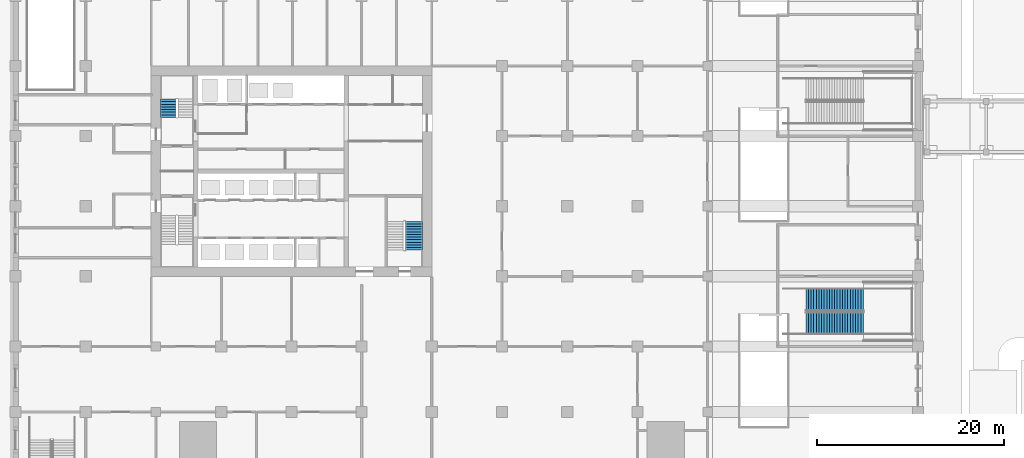
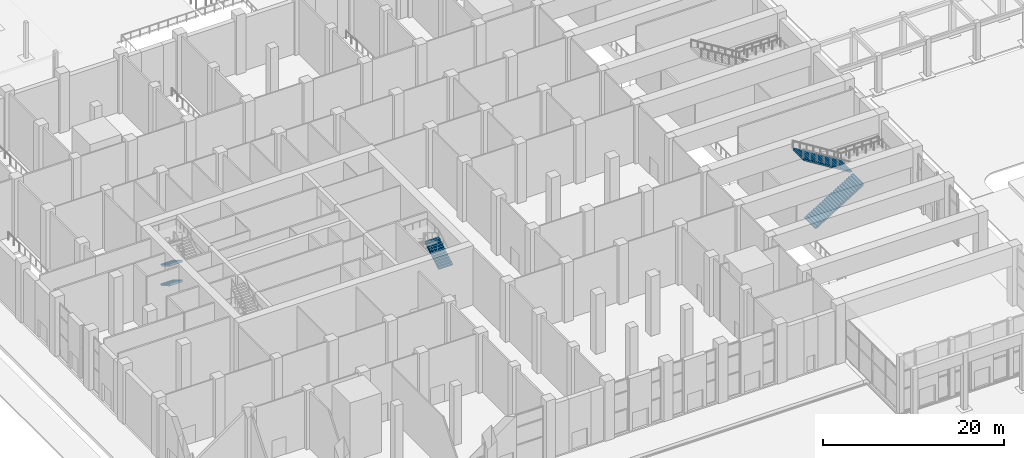
# One storey, part 37 of 57: 5 stair flights, 3 elements without a shape of their own.
"""IFC4 building model written with IfcOpenShell, lengths in metres."""

from ifc_helpers import new_model, si_unit, direction, frame, origin, place, context, subcontext, project, spatial, polyline, outline, extrude, material, type_object, element, aggregate, save


model = new_model("IFC4")

# Units and contexts
model_context = context("Model", 3, precision=1e-05, world=origin(), true_north=direction((0.0, 1.0)))
body_context = subcontext(model_context, "Body", "Model", "MODEL_VIEW")
ifc_project = project(units=[si_unit("LENGTHUNIT", "METRE"), si_unit("AREAUNIT", "SQUARE_METRE"), si_unit("VOLUMEUNIT", "CUBIC_METRE"), si_unit("PLANEANGLEUNIT", "RADIAN"), si_unit("MASSUNIT", "GRAM", prefix="KILO")], contexts=[model_context])

# Site, building, storey
site_placement = place(None, origin())
site = spatial("IfcSite", under=ifc_project, at=site_placement, CompositionType="ELEMENT")
building_placement = place(site_placement, origin())
building = spatial("IfcBuilding", under=site, at=building_placement, Name="Tamorin Gate", CompositionType="ELEMENT")
storey_placement = place(building_placement, origin())
storey = spatial("IfcBuildingStorey", under=building, at=storey_placement, Name="L00", CompositionType="ELEMENT", Elevation=0.0)

# Stair, stair flights
ifc_material_1 = material(Name="Concrete C40/50", Category="concrete")
stair_type_1 = type_object("IfcStairType", Name="Exit stair", PredefinedType="HALF_TURN_STAIR", material=ifc_material_1)
stair_1_placement = place(storey_placement, origin())
stair_1 = element("IfcStair", 1, at=stair_1_placement, inside=storey, type_object=stair_type_1, Name="L00 stair ST2", PredefinedType="HALF_TURN_STAIR")
stair_flight_type_1 = type_object("IfcStairFlightType", Name="Exit stair flight", PredefinedType="STRAIGHT", material=ifc_material_1)
stair_flight_1_placement = place(storey_placement, frame((31.824951171875, 78.9599609375, 1.333251953125), z_axis=(0.0, 0.0, 1.0), x_axis=(0.0, -1.0, 0.0)))
stair_flight_1 = element("IfcStairFlight", 2, at=stair_flight_1_placement, type_object=stair_flight_type_1, Name="ST2 flight 2", NumberOfRisers=8, NumberOfTreads=7, PredefinedType="STRAIGHT", RiserHeight=0.166666667, TreadLength=0.28, context=body_context, shape_type="SweptSolid", body=[
    extrude(outline(polyline([(-0.00048828125, 0.0), (-0.00048828125, 0.001708984375), (-0.00048828125, 0.00341796875), (-0.00048828125, 0.0048828125), (-0.00048828125, 0.006591796875), (-0.00048828125, 0.00830078125), (-0.00048828125, 0.010009765625), (-0.00048828125, 0.011474609375), (-0.00048828125, 0.01318359375), (-0.00048828125, 0.014892578125), (-0.00048828125, 0.0166015625), (-0.00048828125, 0.01806640625), (-0.00048828125, 0.019775390625), (-0.00048828125, 0.021484375), (-0.00048828125, 0.023193359375), (-0.00048828125, 0.024658203125), (-0.00048828125, 0.0263671875), (-0.00048828125, 0.028076171875), (-0.00048828125, 0.02978515625), (-0.00048828125, 0.03125), (-0.00048828125, 0.032958984375), (-0.00048828125, 0.03466796875), (-0.00048828125, 0.036376953125), (-0.00048828125, 0.037841796875), (-0.00048828125, 0.03955078125), (-0.00048828125, 0.041259765625), (-0.00048828125, 0.04296875), (-0.00048828125, 0.04443359375), (-0.00048828125, 0.046142578125), (-0.00048828125, 0.0478515625), (-0.00048828125, 0.049560546875), (-0.00048828125, 0.05126953125), (-0.00048828125, 0.052734375), (-0.00048828125, 0.054443359375), (-0.00048828125, 0.05615234375), (-0.00048828125, 0.057861328125), (-0.00048828125, 0.059326171875), (-0.00048828125, 0.06103515625), (-0.00048828125, 0.062744140625), (-0.00048828125, 0.064453125), (-0.00048828125, 0.06591796875), (-0.00048828125, 0.067626953125), (-0.00048828125, 0.0693359375), (-0.00048828125, 0.071044921875), (-0.00048828125, 0.072509765625), (-0.00048828125, 0.07421875), (-0.00048828125, 0.075927734375), (-0.00048828125, 0.07763671875), (-0.00048828125, 0.0791015625), (-0.00048828125, 0.080810546875), (-0.00048828125, 0.08251953125), (-0.00048828125, 0.084228515625), (-0.00048828125, 0.085693359375), (-0.00048828125, 0.08740234375), (-0.00048828125, 0.089111328125), (-0.00048828125, 0.0908203125), (-0.00048828125, 0.092529296875), (-0.00048828125, 0.093994140625), (-0.00048828125, 0.095703125), (-0.00048828125, 0.097412109375), (-0.00048828125, 0.09912109375), (-0.00048828125, 0.1005859375), (-0.00048828125, 0.102294921875), (-0.00048828125, 0.10400390625), (-0.00048828125, 0.105712890625), (-0.00048828125, 0.107177734375), (-0.00048828125, 0.10888671875), (-0.00048828125, 0.110595703125), (-0.00048828125, 0.1123046875), (-0.00048828125, 0.11376953125), (-0.00048828125, 0.115478515625), (-0.00048828125, 0.1171875), (-0.00048828125, 0.118896484375), (-0.00048828125, 0.120361328125), (-0.00048828125, 0.1220703125), (-0.00048828125, 0.123779296875), (-0.00048828125, 0.12548828125), (-0.00048828125, 0.126953125), (-0.00048828125, 0.128662109375), (-0.00048828125, 0.13037109375), (-0.00048828125, 0.132080078125), (-0.00048828125, 0.133544921875), (-0.00048828125, 0.13525390625), (-0.00048828125, 0.136962890625), (-0.00048828125, 0.138671875), (-0.00048828125, 0.140380859375), (-0.00048828125, 0.141845703125), (-0.00048828125, 0.1435546875), (-0.00048828125, 0.145263671875), (-0.00048828125, 0.14697265625), (-0.00048828125, 0.1484375), (-0.00048828125, 0.150146484375), (-0.00048828125, 0.15185546875), (-0.00048828125, 0.153564453125), (-0.00048828125, 0.155029296875), (-0.00048828125, 0.15673828125), (-0.00048828125, 0.158447265625), (-0.00048828125, 0.16015625), (-0.00048828125, 0.16162109375), (-0.00048828125, 0.163330078125), (-0.00048828125, 0.1650390625), (-0.00048828125, 0.166748046875), (0.280029296875, 0.166748046875), (0.280029296875, 0.333251953125), (0.56005859375, 0.333251953125), (0.56005859375, 0.5), (0.840087890625, 0.5), (0.840087890625, 0.666748046875), (1.1201171875, 0.666748046875), (1.1201171875, 0.833251953125), (1.39990234375, 0.833251953125), (1.39990234375, 1.0), (1.679931640625, 1.0), (1.679931640625, 1.166748046875), (1.9599609375, 1.166748046875), (1.9599609375, 1.333251953125), (1.96044921875, 1.333251953125), (1.96044921875, 1.329833984375), (1.96044921875, 1.32666015625), (1.96044921875, 1.3232421875), (1.96044921875, 1.31982421875), (1.96044921875, 1.31640625), (1.96044921875, 1.31298828125), (1.96044921875, 1.3095703125), (1.96044921875, 1.306396484375), (1.96044921875, 1.302978515625), (1.96044921875, 1.299560546875), (1.96044921875, 1.296142578125), (1.96044921875, 1.292724609375), (1.96044921875, 1.289306640625), (1.96044921875, 1.2861328125), (1.96044921875, 1.28271484375), (1.96044921875, 1.279296875), (1.96044921875, 1.27587890625), (1.96044921875, 1.2724609375), (1.96044921875, 1.26904296875), (1.96044921875, 1.265869140625), (1.96044921875, 1.262451171875), (1.96044921875, 1.259033203125), (1.96044921875, 1.255615234375), (1.96044921875, 1.252197265625), (1.96044921875, 1.248779296875), (1.96044921875, 1.24560546875), (1.96044921875, 1.2421875), (1.96044921875, 1.23876953125), (1.96044921875, 1.2353515625), (1.96044921875, 1.23193359375), (1.96044921875, 1.228515625), (1.96044921875, 1.225341796875), (1.96044921875, 1.221923828125), (1.96044921875, 1.218505859375), (1.96044921875, 1.215087890625), (1.96044921875, 1.211669921875), (1.96044921875, 1.208251953125), (1.96044921875, 1.205078125), (1.96044921875, 1.20166015625), (1.96044921875, 1.1982421875), (1.96044921875, 1.19482421875), (1.96044921875, 1.19140625), (1.96044921875, 1.18798828125), (1.96044921875, 1.184814453125), (1.96044921875, 1.181396484375), (1.96044921875, 1.177978515625), (1.96044921875, 1.174560546875), (1.96044921875, 1.171142578125), (1.96044921875, 1.167724609375), (1.96044921875, 1.16455078125), (1.96044921875, 1.1611328125), (1.96044921875, 1.15771484375), (1.96044921875, 1.154296875), (1.96044921875, 1.15087890625), (1.96044921875, 1.1474609375), (1.96044921875, 1.144287109375), (1.96044921875, 1.140869140625), (1.96044921875, 1.137451171875), (1.96044921875, 1.134033203125), (1.96044921875, 1.130615234375), (1.96044921875, 1.127197265625), (1.96044921875, 1.1240234375), (1.96044921875, 1.12060546875), (1.96044921875, 1.1171875), (1.96044921875, 1.11376953125), (1.96044921875, 1.1103515625), (1.96044921875, 1.10693359375), (1.96044921875, 1.103759765625), (1.96044921875, 1.100341796875), (1.96044921875, 1.096923828125), (1.96044921875, 1.093505859375), (1.96044921875, 1.090087890625), (1.96044921875, 1.086669921875), (1.96044921875, 1.08349609375), (1.96044921875, 1.080078125), (1.96044921875, 1.07666015625), (1.96044921875, 1.0732421875), (1.96044921875, 1.06982421875), (1.96044921875, 1.06640625), (1.96044921875, 1.063232421875), (1.96044921875, 1.059814453125), (1.96044921875, 1.056396484375), (1.96044921875, 1.052978515625), (1.96044921875, 1.049560546875), (1.96044921875, 1.046142578125), (1.96044921875, 1.04296875), (1.96044921875, 1.03955078125), (1.96044921875, 1.0361328125), (1.96044921875, 1.03271484375), (1.96044921875, 1.029296875), (1.96044921875, 1.02587890625), (1.96044921875, 1.022705078125), (1.96044921875, 1.019287109375), (1.96044921875, 1.015869140625), (1.96044921875, 1.012451171875), (1.96044921875, 1.009033203125), (1.96044921875, 1.005615234375), (1.96044921875, 1.00244140625), (1.96044921875, 0.9990234375), (1.96044921875, 0.99560546875), (1.96044921875, 0.9921875), (1.9599609375, 0.9921875), (0.29296875, 0.0), (-0.00048828125, 0.0)])), frame((0.0, 0.824951171875, 0.0), z_axis=(0.0, -1.0, 0.0), x_axis=(1.0, 0.0, 0.0)), (0.0, 0.0, 1.0), 1.64990234375),
])
stair_flight_2_placement = place(storey_placement, frame((31.824951171875, 78.9599609375, 4.0), z_axis=(0.0, 0.0, 1.0), x_axis=(0.0, -1.0, 0.0)))
stair_flight_2 = element("IfcStairFlight", 3, at=stair_flight_2_placement, type_object=stair_flight_type_1, Name="ST2 flight 4", NumberOfRisers=8, NumberOfTreads=7, PredefinedType="STRAIGHT", RiserHeight=0.166666667, TreadLength=0.28, context=body_context, shape_type="SweptSolid", body=[
    extrude(outline(polyline([(-0.00048828125, 0.0), (-0.00048828125, 0.001708984375), (-0.00048828125, 0.00341796875), (-0.00048828125, 0.0048828125), (-0.00048828125, 0.006591796875), (-0.00048828125, 0.00830078125), (-0.00048828125, 0.010009765625), (-0.00048828125, 0.011474609375), (-0.00048828125, 0.01318359375), (-0.00048828125, 0.014892578125), (-0.00048828125, 0.0166015625), (-0.00048828125, 0.01806640625), (-0.00048828125, 0.019775390625), (-0.00048828125, 0.021484375), (-0.00048828125, 0.023193359375), (-0.00048828125, 0.024658203125), (-0.00048828125, 0.0263671875), (-0.00048828125, 0.028076171875), (-0.00048828125, 0.02978515625), (-0.00048828125, 0.03125), (-0.00048828125, 0.032958984375), (-0.00048828125, 0.03466796875), (-0.00048828125, 0.036376953125), (-0.00048828125, 0.037841796875), (-0.00048828125, 0.03955078125), (-0.00048828125, 0.041259765625), (-0.00048828125, 0.04296875), (-0.00048828125, 0.04443359375), (-0.00048828125, 0.046142578125), (-0.00048828125, 0.0478515625), (-0.00048828125, 0.049560546875), (-0.00048828125, 0.05126953125), (-0.00048828125, 0.052734375), (-0.00048828125, 0.054443359375), (-0.00048828125, 0.05615234375), (-0.00048828125, 0.057861328125), (-0.00048828125, 0.059326171875), (-0.00048828125, 0.06103515625), (-0.00048828125, 0.062744140625), (-0.00048828125, 0.064453125), (-0.00048828125, 0.06591796875), (-0.00048828125, 0.067626953125), (-0.00048828125, 0.0693359375), (-0.00048828125, 0.071044921875), (-0.00048828125, 0.072509765625), (-0.00048828125, 0.07421875), (-0.00048828125, 0.075927734375), (-0.00048828125, 0.07763671875), (-0.00048828125, 0.0791015625), (-0.00048828125, 0.080810546875), (-0.00048828125, 0.08251953125), (-0.00048828125, 0.084228515625), (-0.00048828125, 0.085693359375), (-0.00048828125, 0.08740234375), (-0.00048828125, 0.089111328125), (-0.00048828125, 0.0908203125), (-0.00048828125, 0.092529296875), (-0.00048828125, 0.093994140625), (-0.00048828125, 0.095703125), (-0.00048828125, 0.097412109375), (-0.00048828125, 0.09912109375), (-0.00048828125, 0.1005859375), (-0.00048828125, 0.102294921875), (-0.00048828125, 0.10400390625), (-0.00048828125, 0.105712890625), (-0.00048828125, 0.107177734375), (-0.00048828125, 0.10888671875), (-0.00048828125, 0.110595703125), (-0.00048828125, 0.1123046875), (-0.00048828125, 0.11376953125), (-0.00048828125, 0.115478515625), (-0.00048828125, 0.1171875), (-0.00048828125, 0.118896484375), (-0.00048828125, 0.120361328125), (-0.00048828125, 0.1220703125), (-0.00048828125, 0.123779296875), (-0.00048828125, 0.12548828125), (-0.00048828125, 0.126953125), (-0.00048828125, 0.128662109375), (-0.00048828125, 0.13037109375), (-0.00048828125, 0.132080078125), (-0.00048828125, 0.133544921875), (-0.00048828125, 0.13525390625), (-0.00048828125, 0.136962890625), (-0.00048828125, 0.138671875), (-0.00048828125, 0.140380859375), (-0.00048828125, 0.141845703125), (-0.00048828125, 0.1435546875), (-0.00048828125, 0.145263671875), (-0.00048828125, 0.14697265625), (-0.00048828125, 0.1484375), (-0.00048828125, 0.150146484375), (-0.00048828125, 0.15185546875), (-0.00048828125, 0.153564453125), (-0.00048828125, 0.155029296875), (-0.00048828125, 0.15673828125), (-0.00048828125, 0.158447265625), (-0.00048828125, 0.16015625), (-0.00048828125, 0.16162109375), (-0.00048828125, 0.163330078125), (-0.00048828125, 0.1650390625), (-0.00048828125, 0.166748046875), (0.280029296875, 0.166748046875), (0.280029296875, 0.333251953125), (0.56005859375, 0.333251953125), (0.56005859375, 0.5), (0.840087890625, 0.5), (0.840087890625, 0.666748046875), (1.1201171875, 0.666748046875), (1.1201171875, 0.833251953125), (1.39990234375, 0.833251953125), (1.39990234375, 1.0), (1.679931640625, 1.0), (1.679931640625, 1.166748046875), (1.9599609375, 1.166748046875), (1.9599609375, 1.333251953125), (1.96044921875, 1.333251953125), (1.96044921875, 1.329833984375), (1.96044921875, 1.32666015625), (1.96044921875, 1.3232421875), (1.96044921875, 1.31982421875), (1.96044921875, 1.31640625), (1.96044921875, 1.31298828125), (1.96044921875, 1.3095703125), (1.96044921875, 1.306396484375), (1.96044921875, 1.302978515625), (1.96044921875, 1.299560546875), (1.96044921875, 1.296142578125), (1.96044921875, 1.292724609375), (1.96044921875, 1.289306640625), (1.96044921875, 1.2861328125), (1.96044921875, 1.28271484375), (1.96044921875, 1.279296875), (1.96044921875, 1.27587890625), (1.96044921875, 1.2724609375), (1.96044921875, 1.26904296875), (1.96044921875, 1.265869140625), (1.96044921875, 1.262451171875), (1.96044921875, 1.259033203125), (1.96044921875, 1.255615234375), (1.96044921875, 1.252197265625), (1.96044921875, 1.248779296875), (1.96044921875, 1.24560546875), (1.96044921875, 1.2421875), (1.96044921875, 1.23876953125), (1.96044921875, 1.2353515625), (1.96044921875, 1.23193359375), (1.96044921875, 1.228515625), (1.96044921875, 1.225341796875), (1.96044921875, 1.221923828125), (1.96044921875, 1.218505859375), (1.96044921875, 1.215087890625), (1.96044921875, 1.211669921875), (1.96044921875, 1.208251953125), (1.96044921875, 1.205078125), (1.96044921875, 1.20166015625), (1.96044921875, 1.1982421875), (1.96044921875, 1.19482421875), (1.96044921875, 1.19140625), (1.96044921875, 1.18798828125), (1.96044921875, 1.184814453125), (1.96044921875, 1.181396484375), (1.96044921875, 1.177978515625), (1.96044921875, 1.174560546875), (1.96044921875, 1.171142578125), (1.96044921875, 1.167724609375), (1.96044921875, 1.16455078125), (1.96044921875, 1.1611328125), (1.96044921875, 1.15771484375), (1.96044921875, 1.154296875), (1.96044921875, 1.15087890625), (1.96044921875, 1.1474609375), (1.96044921875, 1.144287109375), (1.96044921875, 1.140869140625), (1.96044921875, 1.137451171875), (1.96044921875, 1.134033203125), (1.96044921875, 1.130615234375), (1.96044921875, 1.127197265625), (1.96044921875, 1.1240234375), (1.96044921875, 1.12060546875), (1.96044921875, 1.1171875), (1.96044921875, 1.11376953125), (1.96044921875, 1.1103515625), (1.96044921875, 1.10693359375), (1.96044921875, 1.103759765625), (1.96044921875, 1.100341796875), (1.96044921875, 1.096923828125), (1.96044921875, 1.093505859375), (1.96044921875, 1.090087890625), (1.96044921875, 1.086669921875), (1.96044921875, 1.08349609375), (1.96044921875, 1.080078125), (1.96044921875, 1.07666015625), (1.96044921875, 1.0732421875), (1.96044921875, 1.06982421875), (1.96044921875, 1.06640625), (1.96044921875, 1.063232421875), (1.96044921875, 1.059814453125), (1.96044921875, 1.056396484375), (1.96044921875, 1.052978515625), (1.96044921875, 1.049560546875), (1.96044921875, 1.046142578125), (1.96044921875, 1.04296875), (1.96044921875, 1.03955078125), (1.96044921875, 1.0361328125), (1.96044921875, 1.03271484375), (1.96044921875, 1.029296875), (1.96044921875, 1.02587890625), (1.96044921875, 1.022705078125), (1.96044921875, 1.019287109375), (1.96044921875, 1.015869140625), (1.96044921875, 1.012451171875), (1.96044921875, 1.009033203125), (1.96044921875, 1.005615234375), (1.96044921875, 1.00244140625), (1.96044921875, 0.9990234375), (1.96044921875, 0.99560546875), (1.96044921875, 0.9921875), (1.9599609375, 0.9921875), (0.29296875, 0.0), (-0.00048828125, 0.0)])), frame((0.0, 0.824951171875, 0.0), z_axis=(0.0, -1.0, 0.0), x_axis=(1.0, 0.0, 0.0)), (0.0, 0.0, 1.0), 1.64990234375),
])
aggregate(stair_1, [stair_flight_1, stair_flight_2])

# Stair, stair flight
stair_2_placement = place(storey_placement, origin())
stair_2 = element("IfcStair", 4, at=stair_2_placement, inside=storey, type_object=stair_type_1, Name="L00 stair ST3", PredefinedType="HALF_TURN_STAIR")
stair_flight_3_placement = place(storey_placement, frame((58.10009765625, 62.800048828125, 4.0), z_axis=(0.0, 0.0, 1.0), x_axis=(0.0, 1.0, 0.0)))
stair_flight_3 = element("IfcStairFlight", 5, at=stair_flight_3_placement, type_object=stair_flight_type_1, Name="ST3 flight 3", NumberOfRisers=12, NumberOfTreads=11, PredefinedType="STRAIGHT", RiserHeight=0.166666667, TreadLength=0.28, context=body_context, shape_type="SweptSolid", body=[
    extrude(outline(polyline([(-0.00048828125, 0.0), (-0.00048828125, 0.001708984375), (-0.00048828125, 0.00341796875), (-0.00048828125, 0.0048828125), (-0.00048828125, 0.006591796875), (-0.00048828125, 0.00830078125), (-0.00048828125, 0.010009765625), (-0.00048828125, 0.011474609375), (-0.00048828125, 0.01318359375), (-0.00048828125, 0.014892578125), (-0.00048828125, 0.0166015625), (-0.00048828125, 0.01806640625), (-0.00048828125, 0.019775390625), (-0.00048828125, 0.021484375), (-0.00048828125, 0.023193359375), (-0.00048828125, 0.024658203125), (-0.00048828125, 0.0263671875), (-0.00048828125, 0.028076171875), (-0.00048828125, 0.02978515625), (-0.00048828125, 0.03125), (-0.00048828125, 0.032958984375), (-0.00048828125, 0.03466796875), (-0.00048828125, 0.036376953125), (-0.00048828125, 0.037841796875), (-0.00048828125, 0.03955078125), (-0.00048828125, 0.041259765625), (-0.00048828125, 0.04296875), (-0.00048828125, 0.04443359375), (-0.00048828125, 0.046142578125), (-0.00048828125, 0.0478515625), (-0.00048828125, 0.049560546875), (-0.00048828125, 0.05126953125), (-0.00048828125, 0.052734375), (-0.00048828125, 0.054443359375), (-0.00048828125, 0.05615234375), (-0.00048828125, 0.057861328125), (-0.00048828125, 0.059326171875), (-0.00048828125, 0.06103515625), (-0.00048828125, 0.062744140625), (-0.00048828125, 0.064453125), (-0.00048828125, 0.06591796875), (-0.00048828125, 0.067626953125), (-0.00048828125, 0.0693359375), (-0.00048828125, 0.071044921875), (-0.00048828125, 0.072509765625), (-0.00048828125, 0.07421875), (-0.00048828125, 0.075927734375), (-0.00048828125, 0.07763671875), (-0.00048828125, 0.0791015625), (-0.00048828125, 0.080810546875), (-0.00048828125, 0.08251953125), (-0.00048828125, 0.084228515625), (-0.00048828125, 0.085693359375), (-0.00048828125, 0.08740234375), (-0.00048828125, 0.089111328125), (-0.00048828125, 0.0908203125), (-0.00048828125, 0.092529296875), (-0.00048828125, 0.093994140625), (-0.00048828125, 0.095703125), (-0.00048828125, 0.097412109375), (-0.00048828125, 0.09912109375), (-0.00048828125, 0.1005859375), (-0.00048828125, 0.102294921875), (-0.00048828125, 0.10400390625), (-0.00048828125, 0.105712890625), (-0.00048828125, 0.107177734375), (-0.00048828125, 0.10888671875), (-0.00048828125, 0.110595703125), (-0.00048828125, 0.1123046875), (-0.00048828125, 0.11376953125), (-0.00048828125, 0.115478515625), (-0.00048828125, 0.1171875), (-0.00048828125, 0.118896484375), (-0.00048828125, 0.120361328125), (-0.00048828125, 0.1220703125), (-0.00048828125, 0.123779296875), (-0.00048828125, 0.12548828125), (-0.00048828125, 0.126953125), (-0.00048828125, 0.128662109375), (-0.00048828125, 0.13037109375), (-0.00048828125, 0.132080078125), (-0.00048828125, 0.133544921875), (-0.00048828125, 0.13525390625), (-0.00048828125, 0.136962890625), (-0.00048828125, 0.138671875), (-0.00048828125, 0.140380859375), (-0.00048828125, 0.141845703125), (-0.00048828125, 0.1435546875), (-0.00048828125, 0.145263671875), (-0.00048828125, 0.14697265625), (-0.00048828125, 0.1484375), (-0.00048828125, 0.150146484375), (-0.00048828125, 0.15185546875), (-0.00048828125, 0.153564453125), (-0.00048828125, 0.155029296875), (-0.00048828125, 0.15673828125), (-0.00048828125, 0.158447265625), (-0.00048828125, 0.16015625), (-0.00048828125, 0.16162109375), (-0.00048828125, 0.163330078125), (-0.00048828125, 0.1650390625), (-0.00048828125, 0.166748046875), (0.280029296875, 0.166748046875), (0.280029296875, 0.333251953125), (0.56005859375, 0.333251953125), (0.56005859375, 0.5), (0.840087890625, 0.5), (0.840087890625, 0.666748046875), (1.1201171875, 0.666748046875), (1.1201171875, 0.833251953125), (1.39990234375, 0.833251953125), (1.39990234375, 1.0), (1.679931640625, 1.0), (1.679931640625, 1.166748046875), (1.9599609375, 1.166748046875), (1.9599609375, 1.333251953125), (2.239990234375, 1.333251953125), (2.239990234375, 1.5), (2.52001953125, 1.5), (2.52001953125, 1.666748046875), (2.800048828125, 1.666748046875), (2.800048828125, 1.833251953125), (3.080078125, 1.833251953125), (3.080078125, 2.0), (3.08056640625, 2.0), (3.08056640625, 1.99658203125), (3.08056640625, 1.9931640625), (3.08056640625, 1.98974609375), (3.08056640625, 1.986572265625), (3.08056640625, 1.983154296875), (3.08056640625, 1.979736328125), (3.08056640625, 1.976318359375), (3.08056640625, 1.972900390625), (3.08056640625, 1.969482421875), (3.08056640625, 1.96630859375), (3.08056640625, 1.962890625), (3.08056640625, 1.95947265625), (3.08056640625, 1.9560546875), (3.08056640625, 1.95263671875), (3.08056640625, 1.94921875), (3.08056640625, 1.946044921875), (3.08056640625, 1.942626953125), (3.08056640625, 1.939208984375), (3.08056640625, 1.935791015625), (3.08056640625, 1.932373046875), (3.08056640625, 1.928955078125), (3.08056640625, 1.92578125), (3.08056640625, 1.92236328125), (3.08056640625, 1.9189453125), (3.08056640625, 1.91552734375), (3.08056640625, 1.912109375), (3.08056640625, 1.90869140625), (3.08056640625, 1.905517578125), (3.08056640625, 1.902099609375), (3.08056640625, 1.898681640625), (3.08056640625, 1.895263671875), (3.08056640625, 1.891845703125), (3.08056640625, 1.888427734375), (3.08056640625, 1.88525390625), (3.08056640625, 1.8818359375), (3.08056640625, 1.87841796875), (3.08056640625, 1.875), (3.08056640625, 1.87158203125), (3.08056640625, 1.8681640625), (3.08056640625, 1.864990234375), (3.08056640625, 1.861572265625), (3.08056640625, 1.858154296875), (3.08056640625, 1.854736328125), (3.08056640625, 1.851318359375), (3.08056640625, 1.847900390625), (3.08056640625, 1.8447265625), (3.08056640625, 1.84130859375), (3.08056640625, 1.837890625), (3.08056640625, 1.83447265625), (3.08056640625, 1.8310546875), (3.08056640625, 1.82763671875), (3.08056640625, 1.824462890625), (3.08056640625, 1.821044921875), (3.08056640625, 1.817626953125), (3.08056640625, 1.814208984375), (3.08056640625, 1.810791015625), (3.08056640625, 1.807373046875), (3.08056640625, 1.80419921875), (3.08056640625, 1.80078125), (3.08056640625, 1.79736328125), (3.08056640625, 1.7939453125), (3.08056640625, 1.79052734375), (3.08056640625, 1.787109375), (3.08056640625, 1.783935546875), (3.08056640625, 1.780517578125), (3.08056640625, 1.777099609375), (3.08056640625, 1.773681640625), (3.08056640625, 1.770263671875), (3.08056640625, 1.766845703125), (3.08056640625, 1.763671875), (3.08056640625, 1.76025390625), (3.08056640625, 1.7568359375), (3.08056640625, 1.75341796875), (3.08056640625, 1.75), (3.08056640625, 1.74658203125), (3.08056640625, 1.743408203125), (3.08056640625, 1.739990234375), (3.08056640625, 1.736572265625), (3.08056640625, 1.733154296875), (3.08056640625, 1.729736328125), (3.08056640625, 1.726318359375), (3.08056640625, 1.72314453125), (3.08056640625, 1.7197265625), (3.08056640625, 1.71630859375), (3.08056640625, 1.712890625), (3.08056640625, 1.70947265625), (3.08056640625, 1.7060546875), (3.08056640625, 1.702880859375), (3.08056640625, 1.699462890625), (3.08056640625, 1.696044921875), (3.08056640625, 1.692626953125), (3.08056640625, 1.689208984375), (3.08056640625, 1.685791015625), (3.08056640625, 1.6826171875), (3.08056640625, 1.67919921875), (3.08056640625, 1.67578125), (3.08056640625, 1.67236328125), (3.08056640625, 1.6689453125), (3.08056640625, 1.66552734375), (3.08056640625, 1.662353515625), (3.08056640625, 1.658935546875), (3.080078125, 1.658935546875), (0.29296875, 0.0), (-0.00048828125, 0.0)])), frame((0.0, 0.89990234375, 0.0), z_axis=(0.0, -1.0, 0.0), x_axis=(1.0, 0.0, 0.0)), (0.0, 0.0, 1.0), 1.800048828125),
])
aggregate(stair_2, [stair_flight_3])

# Stair, stair flights
ifc_material_2 = material(Name="Reinforced concrete C32/40", Category="concrete")
stair_type_2 = type_object("IfcStairType", Name="Podium stair PS", PredefinedType="HALF_TURN_STAIR", material=ifc_material_2)
stair_3_placement = place(storey_placement, origin())
stair_3 = element("IfcStair", 6, at=stair_3_placement, inside=storey, type_object=stair_type_2, Name="L00 Podium stair PS3", PredefinedType="HALF_TURN_STAIR")
stair_flight_type_2 = type_object("IfcStairFlightType", Name="Stair flight 2400", PredefinedType="STRAIGHT", material=ifc_material_2)
stair_flight_4_placement = place(storey_placement, frame((100.0, 54.97509765625, 0.0), z_axis=(0.0, 0.0, 1.0), x_axis=(1.0, 0.0, 0.0)))
stair_flight_4 = element("IfcStairFlight", 7, at=stair_flight_4_placement, type_object=stair_flight_type_2, Name="PS3 flight 1", NumberOfRisers=23, NumberOfTreads=22, PredefinedType="STRAIGHT", RiserHeight=0.173913043, TreadLength=0.28, context=body_context, shape_type="SweptSolid", body=[
    extrude(outline(polyline([(-0.00048828125, 0.0), (-0.00048828125, 0.173828125), (0.280029296875, 0.173828125), (0.280029296875, 0.347900390625), (0.56005859375, 0.347900390625), (0.56005859375, 0.521728515625), (0.840087890625, 0.521728515625), (0.840087890625, 0.695556640625), (1.1201171875, 0.695556640625), (1.1201171875, 0.86962890625), (1.39990234375, 0.86962890625), (1.39990234375, 1.04345703125), (1.679931640625, 1.04345703125), (1.679931640625, 1.21728515625), (1.9599609375, 1.21728515625), (1.9599609375, 1.391357421875), (2.239990234375, 1.391357421875), (2.239990234375, 1.565185546875), (2.52001953125, 1.565185546875), (2.52001953125, 1.739013671875), (2.800048828125, 1.739013671875), (2.800048828125, 1.9130859375), (3.080078125, 1.9130859375), (3.080078125, 2.0869140625), (3.360107421875, 2.0869140625), (3.360107421875, 2.260986328125), (3.639892578125, 2.260986328125), (3.639892578125, 2.434814453125), (3.919921875, 2.434814453125), (3.919921875, 2.608642578125), (4.199951171875, 2.608642578125), (4.199951171875, 2.78271484375), (4.47998046875, 2.78271484375), (4.47998046875, 2.95654296875), (4.760009765625, 2.95654296875), (4.760009765625, 3.13037109375), (5.0400390625, 3.13037109375), (5.0400390625, 3.304443359375), (5.320068359375, 3.304443359375), (5.320068359375, 3.478271484375), (5.60009765625, 3.478271484375), (5.60009765625, 3.652099609375), (5.8798828125, 3.652099609375), (5.8798828125, 3.826171875), (6.159912109375, 3.826171875), (6.159912109375, 4.0), (6.160400390625, 4.0), (6.160400390625, 3.649658203125), (6.159912109375, 3.649658203125), (0.2841796875, 0.0), (-0.00048828125, 0.0)])), frame((0.0, 1.199951171875, 0.0), z_axis=(0.0, -1.0, 0.0), x_axis=(1.0, 0.0, 0.0)), (0.0, 0.0, 1.0), 2.39990234375),
])
stair_flight_5_placement = place(storey_placement, frame((106.159912109375, 57.52490234375, 4.0), z_axis=(0.0, 0.0, 1.0), x_axis=(-1.0, 0.0, 0.0)))
stair_flight_5 = element("IfcStairFlight", 8, at=stair_flight_5_placement, type_object=stair_flight_type_2, Name="PS3 flight 2", NumberOfRisers=23, NumberOfTreads=22, PredefinedType="STRAIGHT", RiserHeight=0.173913043, TreadLength=0.28, context=body_context, shape_type="SweptSolid", body=[
    extrude(outline(polyline([(-0.00048828125, 0.0), (-0.00048828125, 0.173828125), (0.280029296875, 0.173828125), (0.280029296875, 0.347900390625), (0.56005859375, 0.347900390625), (0.56005859375, 0.521728515625), (0.840087890625, 0.521728515625), (0.840087890625, 0.695556640625), (1.1201171875, 0.695556640625), (1.1201171875, 0.86962890625), (1.39990234375, 0.86962890625), (1.39990234375, 1.04345703125), (1.679931640625, 1.04345703125), (1.679931640625, 1.21728515625), (1.9599609375, 1.21728515625), (1.9599609375, 1.391357421875), (2.239990234375, 1.391357421875), (2.239990234375, 1.565185546875), (2.52001953125, 1.565185546875), (2.52001953125, 1.739013671875), (2.800048828125, 1.739013671875), (2.800048828125, 1.9130859375), (3.080078125, 1.9130859375), (3.080078125, 2.0869140625), (3.360107421875, 2.0869140625), (3.360107421875, 2.260986328125), (3.639892578125, 2.260986328125), (3.639892578125, 2.434814453125), (3.919921875, 2.434814453125), (3.919921875, 2.608642578125), (4.199951171875, 2.608642578125), (4.199951171875, 2.78271484375), (4.47998046875, 2.78271484375), (4.47998046875, 2.95654296875), (4.760009765625, 2.95654296875), (4.760009765625, 3.13037109375), (5.0400390625, 3.13037109375), (5.0400390625, 3.304443359375), (5.320068359375, 3.304443359375), (5.320068359375, 3.478271484375), (5.60009765625, 3.478271484375), (5.60009765625, 3.652099609375), (5.8798828125, 3.652099609375), (5.8798828125, 3.826171875), (6.159912109375, 3.826171875), (6.159912109375, 4.0), (6.160400390625, 4.0), (6.160400390625, 3.649658203125), (6.159912109375, 3.649658203125), (0.2841796875, 0.0), (-0.00048828125, 0.0)])), frame((0.0, 1.199951171875, 0.0), z_axis=(0.0, -1.0, 0.0), x_axis=(1.0, 0.0, 0.0)), (0.0, 0.0, 1.0), 2.39990234375),
])
aggregate(stair_3, [stair_flight_4, stair_flight_5])

save(model, "model.ifc")
